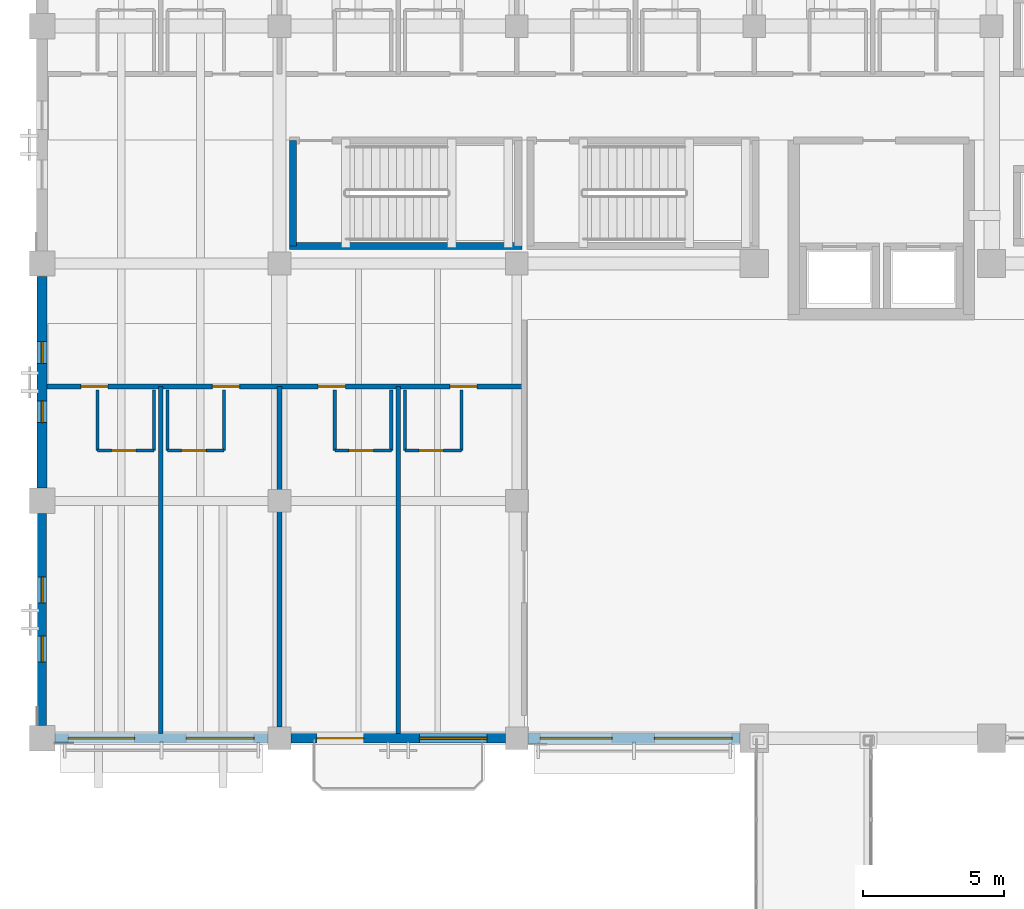
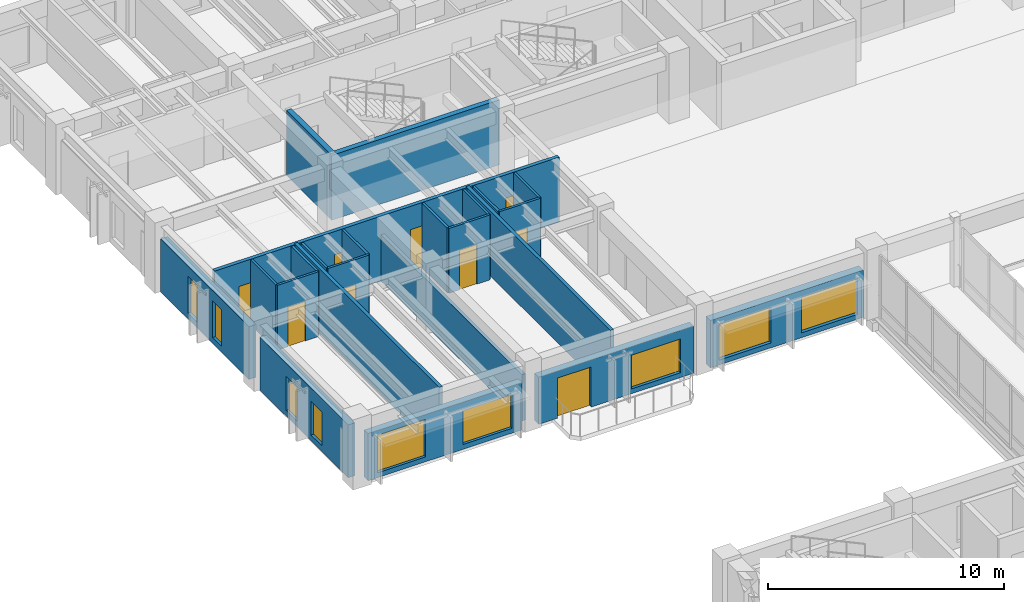
# One storey, part 70 of 118: 23 walls, 9 doors, 9 windows, 18 openings.
"""IFC4 building model written with IfcOpenShell, lengths in metres."""

from ifc_helpers import new_model, si_unit, direction, frame, frame_2d, origin, place, context, subcontext, project, spatial, rectangle, extrude, material, layer, layer_set, type_object, element, fill, save


model = new_model("IFC4")

# Units and contexts
model_context = context("Model", 3, precision=1e-05, world=origin(), true_north=direction((0.0, 1.0)))
body_context = subcontext(model_context, "Body", "Model", "MODEL_VIEW")
ifc_project = project(units=[si_unit("LENGTHUNIT", "METRE"), si_unit("AREAUNIT", "SQUARE_METRE"), si_unit("VOLUMEUNIT", "CUBIC_METRE"), si_unit("PLANEANGLEUNIT", "RADIAN"), si_unit("MASSUNIT", "GRAM", prefix="KILO")], contexts=[model_context])

# Site, building, storey
site_placement = place(None, origin())
site = spatial("IfcSite", under=ifc_project, at=site_placement, CompositionType="ELEMENT")
building_placement = place(site_placement, origin())
building = spatial("IfcBuilding", under=site, at=building_placement, Name="Cumbredor Promenade Congress Hotel", CompositionType="ELEMENT")
storey_placement = place(building_placement, frame((0.0, 0.0, 3.919921875)))
storey = spatial("IfcBuildingStorey", under=building, at=storey_placement, Name="L01", CompositionType="ELEMENT", Elevation=3.919921875)

# Wall, opening, door
ifc_material_1 = material(Name="Moisture-resistant gypsum board on steel studs", Category="steel")
ifc_layer_1 = layer(ifc_material_1, 0.114990234375, Name="Moisture-resistant gypsum board on steel studs", Category="steel")
ifc_layer_set_1 = layer_set([ifc_layer_1], Name="Moisture-resistant gypsum board on steel studs")
wall_type_1 = type_object("IfcWallType", Name="WL-BATH-115", PredefinedType="PARTITIONING", material=ifc_layer_set_1)
wall_1_placement = place(storey_placement, frame((1.9599609375, 94.179931640625, 0.0), z_axis=(0.0, 0.0, 1.0), x_axis=(1.0, 0.0, 0.0)))
wall_1 = element("IfcWall", 1, at=wall_1_placement, inside=storey, type_object=wall_type_1, Name="L01 Interior Partition W-L01-BH-0181", PredefinedType="PARTITIONING", context=body_context, shape_type="SweptSolid", body=[
    extrude(rectangle(XDim=2.0, YDim=0.114990234375, at=frame_2d((1.0, 0.0))), origin(), (0.0, 0.0, 1.0), 3.360107421875),
])
opening_1_placement = place(wall_1_placement, frame((0.5, 0.0, 0.0)))
opening_1 = element("IfcOpeningElement", 2, at=opening_1_placement, cuts=wall_1, Name="Opening ID-01", PredefinedType="OPENING", context=body_context, shape_type="SweptSolid", body=[
    extrude(rectangle(XDim=0.860107421875, YDim=2.050048828125, at=frame_2d((0.43017578125, 1.02490234375))), frame((0.0, 0.0673828125, 0.0), z_axis=(0.0, -1.0, 0.0), x_axis=(1.0, 0.0, 0.0)), (0.0, 0.0, 1.0), 0.135009765625),
])
ifc_material_2 = material(Name="Kiln-dried tropical hardwood", Category="wood")
door_type_1 = type_object("IfcDoorType", Name="DR-BATH-860", OperationType="NOTDEFINED", PredefinedType="DOOR", material=ifc_material_2)
door_1_placement = place(opening_1_placement, origin())
door_1 = element("IfcDoor", 3, at=door_1_placement, inside=storey, type_object=door_type_1, Name="L01 Interior Door W-L01-BH-0181-01", OperationType="SINGLE_SWING_LEFT", OverallHeight=2.050048828125, OverallWidth=0.860107421875, PredefinedType="DOOR", context=body_context, shape_type="SweptSolid", body=[
    extrude(rectangle(XDim=0.860107421875, YDim=2.050048828125, at=frame_2d((0.43017578125, 1.02490234375))), frame((0.0, 0.02490234375, 0.0), z_axis=(0.0, -1.0, 0.0), x_axis=(1.0, 0.0, 0.0)), (0.0, 0.0, 1.0), 0.050048828125),
])
fill(opening_1, door_1)

# Walls
for number, where, z_axis, x_axis, name in (
    (4, (1.9599609375, 94.179931640625, 0.0), (0.0, 0.0, 1.0), (0.0, 1.0, 0.0), "L01 Interior Partition W-L01-BV1-0181"),
    (5, (3.9599609375, 94.179931640625, 0.0), (0.0, 0.0, 1.0), (0.0, 1.0, 0.0), "L01 Interior Partition W-L01-BV2-0181"),
):
    element("IfcWall", number, at=place(storey_placement, frame(where, z_axis=z_axis, x_axis=x_axis)), inside=storey, type_object=wall_type_1, Name=name, PredefinedType="PARTITIONING", context=body_context, shape_type="SweptSolid", body=[
        extrude(rectangle(XDim=2.150146484375, YDim=0.114990234375, at=frame_2d((1.0751953125, 0.0))), origin(), (0.0, 0.0, 1.0), 3.360107421875),
    ])

# Wall, opening, door
wall_2_placement = place(storey_placement, frame((4.43994140625, 94.179931640625, 0.0), z_axis=(0.0, 0.0, 1.0), x_axis=(1.0, 0.0, 0.0)))
wall_2 = element("IfcWall", 6, at=wall_2_placement, inside=storey, type_object=wall_type_1, Name="L01 Interior Partition W-L01-BH-0182", PredefinedType="PARTITIONING", context=body_context, shape_type="SweptSolid", body=[
    extrude(rectangle(XDim=2.0, YDim=0.114990234375, at=frame_2d((1.0, 0.0))), origin(), (0.0, 0.0, 1.0), 3.360107421875),
])
opening_2_placement = place(wall_2_placement, frame((0.5, 0.0, 0.0)))
opening_2 = element("IfcOpeningElement", 7, at=opening_2_placement, cuts=wall_2, Name="Opening ID-01", PredefinedType="OPENING", context=body_context, shape_type="SweptSolid", body=[
    extrude(rectangle(XDim=0.860107421875, YDim=2.050048828125, at=frame_2d((0.43017578125, 1.02490234375))), frame((0.0, 0.0673828125, 0.0), z_axis=(0.0, -1.0, 0.0), x_axis=(1.0, 0.0, 0.0)), (0.0, 0.0, 1.0), 0.135009765625),
])
door_2_placement = place(opening_2_placement, origin())
door_2 = element("IfcDoor", 8, at=door_2_placement, inside=storey, type_object=door_type_1, Name="L01 Interior Door W-L01-BH-0182-01", OperationType="SINGLE_SWING_RIGHT", OverallHeight=2.050048828125, OverallWidth=0.860107421875, PredefinedType="DOOR", context=body_context, shape_type="SweptSolid", body=[
    extrude(rectangle(XDim=0.860107421875, YDim=2.050048828125, at=frame_2d((0.43017578125, 1.02490234375))), frame((0.0, 0.02490234375, 0.0), z_axis=(0.0, -1.0, 0.0), x_axis=(1.0, 0.0, 0.0)), (0.0, 0.0, 1.0), 0.050048828125),
])
fill(opening_2, door_2)

# Walls
for number, where, z_axis, x_axis, name in (
    (9, (4.43994140625, 94.179931640625, 0.0), (0.0, 0.0, 1.0), (0.0, 1.0, 0.0), "L01 Interior Partition W-L01-BV1-0182"),
    (10, (6.43994140625, 94.179931640625, 0.0), (0.0, 0.0, 1.0), (0.0, 1.0, 0.0), "L01 Interior Partition W-L01-BV2-0182"),
):
    element("IfcWall", number, at=place(storey_placement, frame(where, z_axis=z_axis, x_axis=x_axis)), inside=storey, type_object=wall_type_1, Name=name, PredefinedType="PARTITIONING", context=body_context, shape_type="SweptSolid", body=[
        extrude(rectangle(XDim=2.150146484375, YDim=0.114990234375, at=frame_2d((1.0751953125, 0.0))), origin(), (0.0, 0.0, 1.0), 3.360107421875),
    ])

# Wall, opening, door
wall_3_placement = place(storey_placement, frame((10.360107421875, 94.179931640625, 0.0), z_axis=(0.0, 0.0, 1.0), x_axis=(1.0, 0.0, 0.0)))
wall_3 = element("IfcWall", 11, at=wall_3_placement, inside=storey, type_object=wall_type_1, Name="L01 Interior Partition W-L01-BH-0183", PredefinedType="PARTITIONING", context=body_context, shape_type="SweptSolid", body=[
    extrude(rectangle(XDim=2.0, YDim=0.114990234375, at=frame_2d((1.0, 0.0))), origin(), (0.0, 0.0, 1.0), 3.360107421875),
])
opening_3_placement = place(wall_3_placement, frame((0.5, 0.0, 0.0)))
opening_3 = element("IfcOpeningElement", 12, at=opening_3_placement, cuts=wall_3, Name="Opening ID-01", PredefinedType="OPENING", context=body_context, shape_type="SweptSolid", body=[
    extrude(rectangle(XDim=0.860107421875, YDim=2.050048828125, at=frame_2d((0.43017578125, 1.02490234375))), frame((0.0, 0.0673828125, 0.0), z_axis=(0.0, -1.0, 0.0), x_axis=(1.0, 0.0, 0.0)), (0.0, 0.0, 1.0), 0.135009765625),
])
door_3_placement = place(opening_3_placement, origin())
door_3 = element("IfcDoor", 13, at=door_3_placement, inside=storey, type_object=door_type_1, Name="L01 Interior Door W-L01-BH-0183-01", OperationType="SINGLE_SWING_LEFT", OverallHeight=2.050048828125, OverallWidth=0.860107421875, PredefinedType="DOOR", context=body_context, shape_type="SweptSolid", body=[
    extrude(rectangle(XDim=0.860107421875, YDim=2.050048828125, at=frame_2d((0.43017578125, 1.02490234375))), frame((0.0, 0.02490234375, 0.0), z_axis=(0.0, -1.0, 0.0), x_axis=(1.0, 0.0, 0.0)), (0.0, 0.0, 1.0), 0.050048828125),
])
fill(opening_3, door_3)

# Walls
for number, where, z_axis, x_axis, name in (
    (14, (10.360107421875, 94.179931640625, 0.0), (0.0, 0.0, 1.0), (0.0, 1.0, 0.0), "L01 Interior Partition W-L01-BV1-0183"),
    (15, (12.360107421875, 94.179931640625, 0.0), (0.0, 0.0, 1.0), (0.0, 1.0, 0.0), "L01 Interior Partition W-L01-BV2-0183"),
):
    element("IfcWall", number, at=place(storey_placement, frame(where, z_axis=z_axis, x_axis=x_axis)), inside=storey, type_object=wall_type_1, Name=name, PredefinedType="PARTITIONING", context=body_context, shape_type="SweptSolid", body=[
        extrude(rectangle(XDim=2.150146484375, YDim=0.114990234375, at=frame_2d((1.0751953125, 0.0))), origin(), (0.0, 0.0, 1.0), 3.360107421875),
    ])

# Wall, opening, door
wall_4_placement = place(storey_placement, frame((12.840087890625, 94.179931640625, 0.0), z_axis=(0.0, 0.0, 1.0), x_axis=(1.0, 0.0, 0.0)))
wall_4 = element("IfcWall", 16, at=wall_4_placement, inside=storey, type_object=wall_type_1, Name="L01 Interior Partition W-L01-BH-0184", PredefinedType="PARTITIONING", context=body_context, shape_type="SweptSolid", body=[
    extrude(rectangle(XDim=2.0, YDim=0.114990234375, at=frame_2d((1.0, 0.0))), origin(), (0.0, 0.0, 1.0), 3.360107421875),
])
opening_4_placement = place(wall_4_placement, frame((0.5, 0.0, 0.0)))
opening_4 = element("IfcOpeningElement", 17, at=opening_4_placement, cuts=wall_4, Name="Opening ID-01", PredefinedType="OPENING", context=body_context, shape_type="SweptSolid", body=[
    extrude(rectangle(XDim=0.860107421875, YDim=2.050048828125, at=frame_2d((0.43017578125, 1.02490234375))), frame((0.0, 0.0673828125, 0.0), z_axis=(0.0, -1.0, 0.0), x_axis=(1.0, 0.0, 0.0)), (0.0, 0.0, 1.0), 0.135009765625),
])
door_4_placement = place(opening_4_placement, origin())
door_4 = element("IfcDoor", 18, at=door_4_placement, inside=storey, type_object=door_type_1, Name="L01 Interior Door W-L01-BH-0184-01", OperationType="SINGLE_SWING_RIGHT", OverallHeight=2.050048828125, OverallWidth=0.860107421875, PredefinedType="DOOR", context=body_context, shape_type="SweptSolid", body=[
    extrude(rectangle(XDim=0.860107421875, YDim=2.050048828125, at=frame_2d((0.43017578125, 1.02490234375))), frame((0.0, 0.02490234375, 0.0), z_axis=(0.0, -1.0, 0.0), x_axis=(1.0, 0.0, 0.0)), (0.0, 0.0, 1.0), 0.050048828125),
])
fill(opening_4, door_4)

# Walls
for number, where, z_axis, x_axis, name in (
    (19, (12.840087890625, 94.179931640625, 0.0), (0.0, 0.0, 1.0), (0.0, 1.0, 0.0), "L01 Interior Partition W-L01-BV1-0184"),
    (20, (14.840087890625, 94.179931640625, 0.0), (0.0, 0.0, 1.0), (0.0, 1.0, 0.0), "L01 Interior Partition W-L01-BV2-0184"),
):
    element("IfcWall", number, at=place(storey_placement, frame(where, z_axis=z_axis, x_axis=x_axis)), inside=storey, type_object=wall_type_1, Name=name, PredefinedType="PARTITIONING", context=body_context, shape_type="SweptSolid", body=[
        extrude(rectangle(XDim=2.150146484375, YDim=0.114990234375, at=frame_2d((1.0751953125, 0.0))), origin(), (0.0, 0.0, 1.0), 3.360107421875),
    ])

# Wall, openings, doors
ifc_material_3 = material(Name="Fire-rated hotel corridor wall")
ifc_layer_2 = layer(ifc_material_3, 0.179931640625, Name="Fire-rated hotel corridor wall")
ifc_layer_set_2 = layer_set([ifc_layer_2], Name="Fire-rated hotel corridor wall")
wall_type_2 = type_object("IfcWallType", Name="WL-CORR-180", PredefinedType="PARTITIONING", material=ifc_layer_set_2)
wall_5_placement = place(storey_placement, frame((0.175048828125, 96.449951171875, 0.0), z_axis=(0.0, 0.0, 1.0), x_axis=(1.0, 0.0, 0.0)))
wall_5 = element("IfcWall", 21, at=wall_5_placement, inside=storey, type_object=wall_type_2, Name="L01 Interior Partition W-L01-WS-CORRW", PredefinedType="PARTITIONING", context=body_context, shape_type="SweptSolid", body=[
    extrude(rectangle(XDim=16.875, YDim=0.179931640625, at=frame_2d((8.4375, 0.0))), origin(), (0.0, 0.0, 1.0), 3.360107421875),
])
opening_5_placement = place(wall_5_placement, frame((1.195068359375, 0.0, 0.0)))
opening_5 = element("IfcOpeningElement", 22, at=opening_5_placement, cuts=wall_5, Name="Opening FD-01", PredefinedType="OPENING", context=body_context, shape_type="SweptSolid", body=[
    extrude(rectangle(XDim=0.9599609375, YDim=2.14990234375, at=frame_2d((0.47998046875, 1.074951171875))), frame((0.0, 0.10009765625, 0.0), z_axis=(0.0, -1.0, 0.0), x_axis=(1.0, 0.0, 0.0)), (0.0, 0.0, 1.0), 0.199951171875),
])
opening_6_placement = place(wall_5_placement, frame((5.85498046875, 0.0, 0.0)))
opening_6 = element("IfcOpeningElement", 23, at=opening_6_placement, cuts=wall_5, Name="Opening FD-01", PredefinedType="OPENING", context=body_context, shape_type="SweptSolid", body=[
    extrude(rectangle(XDim=0.9599609375, YDim=2.14990234375, at=frame_2d((0.47998046875, 1.074951171875))), frame((0.0, 0.10009765625, 0.0), z_axis=(0.0, -1.0, 0.0), x_axis=(1.0, 0.0, 0.0)), (0.0, 0.0, 1.0), 0.199951171875),
])
opening_7_placement = place(wall_5_placement, frame((9.594970703125, 0.0, 0.0)))
opening_7 = element("IfcOpeningElement", 24, at=opening_7_placement, cuts=wall_5, Name="Opening FD-01", PredefinedType="OPENING", context=body_context, shape_type="SweptSolid", body=[
    extrude(rectangle(XDim=0.9599609375, YDim=2.14990234375, at=frame_2d((0.47998046875, 1.074951171875))), frame((0.0, 0.10009765625, 0.0), z_axis=(0.0, -1.0, 0.0), x_axis=(1.0, 0.0, 0.0)), (0.0, 0.0, 1.0), 0.199951171875),
])
opening_8_placement = place(wall_5_placement, frame((14.2548828125, 0.0, 0.0)))
opening_8 = element("IfcOpeningElement", 25, at=opening_8_placement, cuts=wall_5, Name="Opening FD-01", PredefinedType="OPENING", context=body_context, shape_type="SweptSolid", body=[
    extrude(rectangle(XDim=0.9599609375, YDim=2.14990234375, at=frame_2d((0.47998046875, 1.074951171875))), frame((0.0, 0.10009765625, 0.0), z_axis=(0.0, -1.0, 0.0), x_axis=(1.0, 0.0, 0.0)), (0.0, 0.0, 1.0), 0.199951171875),
])
ifc_material_4 = material(Name="Solid-core fire-rated tropical hardwood", Category="wood")
door_type_2 = type_object("IfcDoorType", Name="DR-GUEST-FD30-950", OperationType="NOTDEFINED", PredefinedType="DOOR", material=ifc_material_4)
door_5_placement = place(opening_5_placement, origin())
door_5 = element("IfcDoor", 26, at=door_5_placement, inside=storey, type_object=door_type_2, Name="L01 Interior Door W-L01-WS-CORRW-01", OperationType="SINGLE_SWING_RIGHT", OverallHeight=2.14990234375, OverallWidth=0.9599609375, PredefinedType="DOOR", context=body_context, shape_type="SweptSolid", body=[
    extrude(rectangle(XDim=0.9599609375, YDim=2.14990234375, at=frame_2d((0.47998046875, 1.074951171875))), frame((0.0, 0.02490234375, 0.0), z_axis=(0.0, -1.0, 0.0), x_axis=(1.0, 0.0, 0.0)), (0.0, 0.0, 1.0), 0.050048828125),
])
fill(opening_5, door_5)
door_6_placement = place(opening_6_placement, origin())
door_6 = element("IfcDoor", 27, at=door_6_placement, inside=storey, type_object=door_type_2, Name="L01 Interior Door W-L01-WS-CORRW-02", OperationType="SINGLE_SWING_LEFT", OverallHeight=2.14990234375, OverallWidth=0.9599609375, PredefinedType="DOOR", context=body_context, shape_type="SweptSolid", body=[
    extrude(rectangle(XDim=0.9599609375, YDim=2.14990234375, at=frame_2d((0.47998046875, 1.074951171875))), frame((0.0, 0.02490234375, 0.0), z_axis=(0.0, -1.0, 0.0), x_axis=(1.0, 0.0, 0.0)), (0.0, 0.0, 1.0), 0.050048828125),
])
fill(opening_6, door_6)
door_7_placement = place(opening_7_placement, origin())
door_7 = element("IfcDoor", 28, at=door_7_placement, inside=storey, type_object=door_type_2, Name="L01 Interior Door W-L01-WS-CORRW-03", OperationType="SINGLE_SWING_RIGHT", OverallHeight=2.14990234375, OverallWidth=0.9599609375, PredefinedType="DOOR", context=body_context, shape_type="SweptSolid", body=[
    extrude(rectangle(XDim=0.9599609375, YDim=2.14990234375, at=frame_2d((0.47998046875, 1.074951171875))), frame((0.0, 0.02490234375, 0.0), z_axis=(0.0, -1.0, 0.0), x_axis=(1.0, 0.0, 0.0)), (0.0, 0.0, 1.0), 0.050048828125),
])
fill(opening_7, door_7)
door_8_placement = place(opening_8_placement, origin())
door_8 = element("IfcDoor", 29, at=door_8_placement, inside=storey, type_object=door_type_2, Name="L01 Interior Door W-L01-WS-CORRW-04", OperationType="SINGLE_SWING_LEFT", OverallHeight=2.14990234375, OverallWidth=0.9599609375, PredefinedType="DOOR", context=body_context, shape_type="SweptSolid", body=[
    extrude(rectangle(XDim=0.9599609375, YDim=2.14990234375, at=frame_2d((0.47998046875, 1.074951171875))), frame((0.0, 0.02490234375, 0.0), z_axis=(0.0, -1.0, 0.0), x_axis=(1.0, 0.0, 0.0)), (0.0, 0.0, 1.0), 0.050048828125),
])
fill(opening_8, door_8)

# Wall, openings, windows
ifc_material_5 = material(Name="Concrete C40/50", Category="concrete")
ifc_layer_3 = layer(ifc_material_5, 0.324951171875, Name="Concrete C40/50", Category="concrete")
ifc_layer_set_3 = layer_set([ifc_layer_3], Name="Concrete C40/50")
wall_type_3 = type_object("IfcWallType", Name="WL-EXT-325", PredefinedType="SOLIDWALL", material=ifc_layer_set_3)
wall_6_placement = place(storey_placement, frame((0.450927734375, 84.0, 0.0), z_axis=(0.0, 0.0, 1.0), x_axis=(1.0, 0.0, 0.0)))
wall_6 = element("IfcWall", 30, at=wall_6_placement, inside=storey, type_object=wall_type_3, Name="L01 Stepped Congress Hotel Wing South Envelope Wall 1", PredefinedType="SOLIDWALL", context=body_context, shape_type="SweptSolid", body=[
    extrude(rectangle(XDim=7.548095703125, YDim=0.324951171875, at=frame_2d((3.77392578125, 0.0))), origin(), (0.0, 0.0, 1.0), 2.445068359375),
])
opening_9_placement = place(wall_6_placement, frame((0.47412109375, 0.0, 0.25)))
opening_9 = element("IfcOpeningElement", 31, at=opening_9_placement, cuts=wall_6, Name="Opening WN-08", PredefinedType="OPENING", context=body_context, shape_type="SweptSolid", body=[
    extrude(rectangle(XDim=2.35009765625, YDim=1.949951171875, at=frame_2d((1.175048828125, 0.97509765625))), frame((0.0, 0.17236328125, 0.0), z_axis=(0.0, -1.0, 0.0), x_axis=(1.0, 0.0, 0.0)), (0.0, 0.0, 1.0), 0.344970703125),
])
opening_10_placement = place(wall_6_placement, frame((4.64892578125, 0.0, 0.25)))
opening_10 = element("IfcOpeningElement", 32, at=opening_10_placement, cuts=wall_6, Name="Opening WN-26", PredefinedType="OPENING", context=body_context, shape_type="SweptSolid", body=[
    extrude(rectangle(XDim=2.39990234375, YDim=1.75, at=frame_2d((1.199951171875, 0.875))), frame((0.0, 0.17236328125, 0.0), z_axis=(0.0, -1.0, 0.0), x_axis=(1.0, 0.0, 0.0)), (0.0, 0.0, 1.0), 0.344970703125),
])
ifc_material_6 = material(Name="Thermally broken anodized aluminium and low-E glass", Category="aluminium")
window_type_1 = type_object("IfcWindowType", Name="Hospitality Floor-to-Ceiling Window WN-08 2350x1950", PartitioningType="DOUBLE_PANEL_VERTICAL", PredefinedType="WINDOW", material=ifc_material_6)
window_1_placement = place(opening_9_placement, origin())
window_1 = element("IfcWindow", 33, at=window_1_placement, inside=storey, type_object=window_type_1, Name="L01 Wide Hospitality Window 0189", OverallHeight=1.949951171875, OverallWidth=2.35009765625, PartitioningType="DOUBLE_PANEL_VERTICAL", PredefinedType="WINDOW", context=body_context, shape_type="SweptSolid", body=[
    extrude(rectangle(XDim=2.35009765625, YDim=1.949951171875, at=frame_2d((1.175048828125, 0.97509765625))), frame((0.0, 0.030029296875, 0.0), z_axis=(0.0, -1.0, 0.0), x_axis=(1.0, 0.0, 0.0)), (0.0, 0.0, 1.0), 0.06005859375),
])
fill(opening_9, window_1)
window_type_2 = type_object("IfcWindowType", Name="Hospitality Floor-to-Ceiling Window WN-26 2400x1750", PartitioningType="DOUBLE_PANEL_VERTICAL", PredefinedType="WINDOW", material=ifc_material_6)
window_2_placement = place(opening_10_placement, origin())
window_2 = element("IfcWindow", 34, at=window_2_placement, inside=storey, type_object=window_type_2, Name="L01 Wide Hospitality Window 0190", OverallHeight=1.75, OverallWidth=2.39990234375, PartitioningType="DOUBLE_PANEL_VERTICAL", PredefinedType="WINDOW", context=body_context, shape_type="SweptSolid", body=[
    extrude(rectangle(XDim=2.39990234375, YDim=1.75, at=frame_2d((1.199951171875, 0.875))), frame((0.0, 0.030029296875, 0.0), z_axis=(0.0, -1.0, 0.0), x_axis=(1.0, 0.0, 0.0)), (0.0, 0.0, 1.0), 0.06005859375),
])
fill(opening_10, window_2)

wall_7_placement = place(storey_placement, frame((0.0, 84.450927734375, 0.0), z_axis=(0.0, 0.0, 1.0), x_axis=(0.0, 1.0, 0.0)))
wall_7 = element("IfcWall", 35, at=wall_7_placement, inside=storey, type_object=wall_type_3, Name="L01 Stepped Congress Hotel Wing West Envelope Wall 1", PredefinedType="SOLIDWALL", context=body_context, shape_type="SweptSolid", body=[
    extrude(rectangle(XDim=7.498046875, YDim=0.324951171875, at=frame_2d((3.7490234375, 0.0))), origin(), (0.0, 0.0, 1.0), 2.734130859375),
])
opening_11_placement = place(wall_7_placement, frame((2.239013671875, 0.0, 0.300048828125)))
opening_11 = element("IfcOpeningElement", 36, at=opening_11_placement, cuts=wall_7, Name="Opening WN-63", PredefinedType="OPENING", context=body_context, shape_type="SweptSolid", body=[
    extrude(rectangle(XDim=0.919921875, YDim=1.75, at=frame_2d((0.4599609375, 0.875))), frame((0.0, 0.17236328125, 0.0), z_axis=(0.0, -1.0, 0.0), x_axis=(1.0, 0.0, 0.0)), (0.0, 0.0, 1.0), 0.344970703125),
])
opening_12_placement = place(wall_7_placement, frame((4.339111328125, 0.0, 0.300048828125)))
opening_12 = element("IfcOpeningElement", 37, at=opening_12_placement, cuts=wall_7, Name="Opening WN-63", PredefinedType="OPENING", context=body_context, shape_type="SweptSolid", body=[
    extrude(rectangle(XDim=0.919921875, YDim=1.75, at=frame_2d((0.4599609375, 0.875))), frame((0.0, 0.17236328125, 0.0), z_axis=(0.0, -1.0, 0.0), x_axis=(1.0, 0.0, 0.0)), (0.0, 0.0, 1.0), 0.344970703125),
])
window_type_3 = type_object("IfcWindowType", Name="Vertical Slot Window WN-63 920x1750", PartitioningType="SINGLE_PANEL", PredefinedType="WINDOW", material=ifc_material_6)
window_3_placement = place(opening_11_placement, origin())
window_3 = element("IfcWindow", 38, at=window_3_placement, inside=storey, type_object=window_type_3, Name="L01 Vertical Slot Window 0218", OverallHeight=1.75, OverallWidth=0.919921875, PartitioningType="SINGLE_PANEL", PredefinedType="WINDOW", context=body_context, shape_type="SweptSolid", body=[
    extrude(rectangle(XDim=0.919921875, YDim=1.75, at=frame_2d((0.4599609375, 0.875))), frame((0.0, 0.030029296875, 0.0), z_axis=(0.0, -1.0, 0.0), x_axis=(1.0, 0.0, 0.0)), (0.0, 0.0, 1.0), 0.06005859375),
])
fill(opening_11, window_3)
window_4_placement = place(opening_12_placement, origin())
window_4 = element("IfcWindow", 39, at=window_4_placement, inside=storey, type_object=window_type_3, Name="L01 Vertical Slot Window 0219", OverallHeight=1.75, OverallWidth=0.919921875, PartitioningType="SINGLE_PANEL", PredefinedType="WINDOW", context=body_context, shape_type="SweptSolid", body=[
    extrude(rectangle(XDim=0.919921875, YDim=1.75, at=frame_2d((0.4599609375, 0.875))), frame((0.0, 0.030029296875, 0.0), z_axis=(0.0, -1.0, 0.0), x_axis=(1.0, 0.0, 0.0)), (0.0, 0.0, 1.0), 0.06005859375),
])
fill(opening_12, window_4)

# Wall, openings, door, window
ifc_layer_4 = layer(ifc_material_5, 0.35009765625, Name="Concrete C40/50", Category="concrete")
ifc_layer_set_4 = layer_set([ifc_layer_4], Name="Concrete C40/50")
wall_type_4 = type_object("IfcWallType", Name="WL-EXT-350", PredefinedType="SOLIDWALL", material=ifc_layer_set_4)
wall_8_placement = place(storey_placement, frame((8.801025390625, 84.0, 0.0), z_axis=(0.0, 0.0, 1.0), x_axis=(1.0, 0.0, 0.0)))
wall_8 = element("IfcWall", 40, at=wall_8_placement, inside=storey, type_object=wall_type_4, Name="L01 Stepped Congress Hotel Wing South Envelope Wall 2", PredefinedType="SOLIDWALL", context=body_context, shape_type="SweptSolid", body=[
    extrude(rectangle(XDim=7.597900390625, YDim=0.35009765625, at=frame_2d((3.798828125, 0.0))), origin(), (0.0, 0.0, 1.0), 2.445068359375),
])
opening_13_placement = place(wall_8_placement, frame((0.924072265625, 0.0, 0.0)))
opening_13 = element("IfcOpeningElement", 41, at=opening_13_placement, cuts=wall_8, Name="Opening TD-02", PredefinedType="OPENING", context=body_context, shape_type="SweptSolid", body=[
    extrude(rectangle(XDim=1.64990234375, YDim=2.080078125, at=frame_2d((0.824951171875, 1.0400390625))), frame((0.0, 0.18505859375, 0.0), z_axis=(0.0, -1.0, 0.0), x_axis=(1.0, 0.0, 0.0)), (0.0, 0.0, 1.0), 0.3701171875),
])
opening_14_placement = place(wall_8_placement, frame((4.549072265625, 0.0, 0.25)))
opening_14 = element("IfcOpeningElement", 42, at=opening_14_placement, cuts=wall_8, Name="Opening WN-26", PredefinedType="OPENING", context=body_context, shape_type="SweptSolid", body=[
    extrude(rectangle(XDim=2.39990234375, YDim=1.75, at=frame_2d((1.199951171875, 0.875))), frame((0.0, 0.18505859375, 0.0), z_axis=(0.0, -1.0, 0.0), x_axis=(1.0, 0.0, 0.0)), (0.0, 0.0, 1.0), 0.3701171875),
])
ifc_material_7 = material(Name="Thermally broken anodized aluminium and laminated safety glass", Category="aluminium")
door_type_3 = type_object("IfcDoorType", Name="EXT-DR-TER-1650x2080", OperationType="DOUBLE_DOOR_SINGLE_SWING", PredefinedType="DOOR", material=ifc_material_7)
door_9_placement = place(opening_13_placement, frame((1.64990234375, 0.0, 0.0), z_axis=(0.0, 0.0, 1.0), x_axis=(-1.0, 0.0, 0.0)))
door_9 = element("IfcDoor", 43, at=door_9_placement, inside=storey, type_object=door_type_3, Name="L01 Guestroom Veranda Balcony Door 031", OperationType="DOUBLE_DOOR_SINGLE_SWING", OverallHeight=2.080078125, OverallWidth=1.64990234375, PredefinedType="DOOR", context=body_context, shape_type="SweptSolid", body=[
    extrude(rectangle(XDim=1.64990234375, YDim=2.080078125, at=frame_2d((0.824951171875, 1.0400390625))), frame((0.0, 0.02490234375, 0.0), z_axis=(0.0, -1.0, 0.0), x_axis=(1.0, 0.0, 0.0)), (0.0, 0.0, 1.0), 0.050048828125),
])
fill(opening_13, door_9)
window_5_placement = place(opening_14_placement, origin())
window_5 = element("IfcWindow", 44, at=window_5_placement, inside=storey, type_object=window_type_2, Name="L01 Veranda Companion Floor-to-Ceiling Window 0191", OverallHeight=1.75, OverallWidth=2.39990234375, PartitioningType="DOUBLE_PANEL_VERTICAL", PredefinedType="WINDOW", context=body_context, shape_type="SweptSolid", body=[
    extrude(rectangle(XDim=2.39990234375, YDim=1.75, at=frame_2d((1.199951171875, 0.875))), frame((0.0, 0.030029296875, 0.0), z_axis=(0.0, -1.0, 0.0), x_axis=(1.0, 0.0, 0.0)), (0.0, 0.0, 1.0), 0.06005859375),
])
fill(opening_14, window_5)

# Wall, openings, windows
wall_9_placement = place(storey_placement, frame((0.0, 92.85107421875, 0.0), z_axis=(0.0, 0.0, 1.0), x_axis=(0.0, 1.0, 0.0)))
wall_9 = element("IfcWall", 45, at=wall_9_placement, inside=storey, type_object=wall_type_4, Name="L01 Stepped Congress Hotel Wing West Envelope Wall 2", PredefinedType="SOLIDWALL", context=body_context, shape_type="SweptSolid", body=[
    extrude(rectangle(XDim=7.498046875, YDim=0.35009765625, at=frame_2d((3.7490234375, 0.0))), origin(), (0.0, 0.0, 1.0), 2.734130859375),
])
opening_15_placement = place(wall_9_placement, frame((2.31396484375, 0.0, 0.300048828125)))
opening_15 = element("IfcOpeningElement", 46, at=opening_15_placement, cuts=wall_9, Name="Opening WN-66", PredefinedType="OPENING", context=body_context, shape_type="SweptSolid", body=[
    extrude(rectangle(XDim=0.77001953125, YDim=1.89990234375, at=frame_2d((0.385009765625, 0.949951171875))), frame((0.0, 0.18505859375, 0.0), z_axis=(0.0, -1.0, 0.0), x_axis=(1.0, 0.0, 0.0)), (0.0, 0.0, 1.0), 0.3701171875),
])
opening_16_placement = place(wall_9_placement, frame((4.4140625, 0.0, 0.300048828125)))
opening_16 = element("IfcOpeningElement", 47, at=opening_16_placement, cuts=wall_9, Name="Opening WN-66", PredefinedType="OPENING", context=body_context, shape_type="SweptSolid", body=[
    extrude(rectangle(XDim=0.77001953125, YDim=1.89990234375, at=frame_2d((0.385009765625, 0.949951171875))), frame((0.0, 0.18505859375, 0.0), z_axis=(0.0, -1.0, 0.0), x_axis=(1.0, 0.0, 0.0)), (0.0, 0.0, 1.0), 0.3701171875),
])
window_type_4 = type_object("IfcWindowType", Name="Vertical Slot Window WN-66 770x1900", PartitioningType="SINGLE_PANEL", PredefinedType="WINDOW", material=ifc_material_6)
window_6_placement = place(opening_15_placement, origin())
window_6 = element("IfcWindow", 48, at=window_6_placement, inside=storey, type_object=window_type_4, Name="L01 Vertical Slot Window 0220", OverallHeight=1.89990234375, OverallWidth=0.77001953125, PartitioningType="SINGLE_PANEL", PredefinedType="WINDOW", context=body_context, shape_type="SweptSolid", body=[
    extrude(rectangle(XDim=0.77001953125, YDim=1.89990234375, at=frame_2d((0.385009765625, 0.949951171875))), frame((0.0, 0.030029296875, 0.0), z_axis=(0.0, -1.0, 0.0), x_axis=(1.0, 0.0, 0.0)), (0.0, 0.0, 1.0), 0.06005859375),
])
fill(opening_15, window_6)
window_7_placement = place(opening_16_placement, origin())
window_7 = element("IfcWindow", 49, at=window_7_placement, inside=storey, type_object=window_type_4, Name="L01 Vertical Slot Window 0221", OverallHeight=1.89990234375, OverallWidth=0.77001953125, PartitioningType="SINGLE_PANEL", PredefinedType="WINDOW", context=body_context, shape_type="SweptSolid", body=[
    extrude(rectangle(XDim=0.77001953125, YDim=1.89990234375, at=frame_2d((0.385009765625, 0.949951171875))), frame((0.0, 0.030029296875, 0.0), z_axis=(0.0, -1.0, 0.0), x_axis=(1.0, 0.0, 0.0)), (0.0, 0.0, 1.0), 0.06005859375),
])
fill(opening_16, window_7)

ifc_layer_5 = layer(ifc_material_5, 0.3798828125, Name="Concrete C40/50", Category="concrete")
ifc_layer_set_5 = layer_set([ifc_layer_5], Name="Concrete C40/50")
wall_type_5 = type_object("IfcWallType", Name="WL-EXT-380", PredefinedType="SOLIDWALL", material=ifc_layer_set_5)
wall_10_placement = place(storey_placement, frame((17.200927734375, 84.0, 0.0), z_axis=(0.0, 0.0, 1.0), x_axis=(1.0, 0.0, 0.0)))
wall_10 = element("IfcWall", 50, at=wall_10_placement, inside=storey, type_object=wall_type_5, Name="L01 Stepped Congress Hotel Wing South Envelope Wall 3", PredefinedType="SOLIDWALL", context=body_context, shape_type="SweptSolid", body=[
    extrude(rectangle(XDim=7.498046875, YDim=0.3798828125, at=frame_2d((3.7490234375, 0.0))), origin(), (0.0, 0.0, 1.0), 2.445068359375),
])
opening_17_placement = place(wall_10_placement, frame((0.424072265625, 0.0, 0.25)))
opening_17 = element("IfcOpeningElement", 51, at=opening_17_placement, cuts=wall_10, Name="Opening WN-04", PredefinedType="OPENING", context=body_context, shape_type="SweptSolid", body=[
    extrude(rectangle(XDim=2.550048828125, YDim=1.85009765625, at=frame_2d((1.27490234375, 0.925048828125))), frame((0.0, 0.199951171875, 0.0), z_axis=(0.0, -1.0, 0.0), x_axis=(1.0, 0.0, 0.0)), (0.0, 0.0, 1.0), 0.39990234375),
])
opening_18_placement = place(wall_10_placement, frame((4.468017578125, 0.0, 0.25)))
opening_18 = element("IfcOpeningElement", 52, at=opening_18_placement, cuts=wall_10, Name="Opening WN-06", PredefinedType="OPENING", context=body_context, shape_type="SweptSolid", body=[
    extrude(rectangle(XDim=2.75, YDim=1.85009765625, at=frame_2d((1.375, 0.925048828125))), frame((0.0, 0.199951171875, 0.0), z_axis=(0.0, -1.0, 0.0), x_axis=(1.0, 0.0, 0.0)), (0.0, 0.0, 1.0), 0.39990234375),
])
window_type_5 = type_object("IfcWindowType", Name="Hospitality Floor-to-Ceiling Window WN-04 2550x1850", PartitioningType="DOUBLE_PANEL_VERTICAL", PredefinedType="WINDOW", material=ifc_material_6)
window_8_placement = place(opening_17_placement, origin())
window_8 = element("IfcWindow", 53, at=window_8_placement, inside=storey, type_object=window_type_5, Name="L01 Wide Hospitality Window 0192", OverallHeight=1.85009765625, OverallWidth=2.550048828125, PartitioningType="DOUBLE_PANEL_VERTICAL", PredefinedType="WINDOW", context=body_context, shape_type="SweptSolid", body=[
    extrude(rectangle(XDim=2.550048828125, YDim=1.85009765625, at=frame_2d((1.27490234375, 0.925048828125))), frame((0.0, 0.030029296875, 0.0), z_axis=(0.0, -1.0, 0.0), x_axis=(1.0, 0.0, 0.0)), (0.0, 0.0, 1.0), 0.06005859375),
])
fill(opening_17, window_8)
window_type_6 = type_object("IfcWindowType", Name="Hospitality Floor-to-Ceiling Window WN-06 2750x1850", PartitioningType="DOUBLE_PANEL_VERTICAL", PredefinedType="WINDOW", material=ifc_material_6)
window_9_placement = place(opening_18_placement, origin())
window_9 = element("IfcWindow", 54, at=window_9_placement, inside=storey, type_object=window_type_6, Name="L01 Wide Hospitality Window 0193", OverallHeight=1.85009765625, OverallWidth=2.75, PartitioningType="DOUBLE_PANEL_VERTICAL", PredefinedType="WINDOW", context=body_context, shape_type="SweptSolid", body=[
    extrude(rectangle(XDim=2.75, YDim=1.85009765625, at=frame_2d((1.375, 0.925048828125))), frame((0.0, 0.030029296875, 0.0), z_axis=(0.0, -1.0, 0.0), x_axis=(1.0, 0.0, 0.0)), (0.0, 0.0, 1.0), 0.06005859375),
])
fill(opening_18, window_9)

# Walls
ifc_layer_6 = layer(ifc_material_5, 0.2548828125, Name="Concrete C40/50", Category="concrete")
ifc_layer_set_6 = layer_set([ifc_layer_6], Name="Concrete C40/50")
wall_type_6 = type_object("IfcWallType", Name="WL-SHAFT-250", PredefinedType="SOLIDWALL", material=ifc_layer_set_6)
wall_11_placement = place(storey_placement, frame((8.75244140625, 101.419921875, 0.0), z_axis=(0.0, 0.0, 1.0), x_axis=(1.0, 0.0, 0.0)))
element("IfcWall", 55, at=wall_11_placement, inside=storey, type_object=wall_type_6, Name="STAIR-ST-01-L01 Shaft Wall South", PredefinedType="SOLIDWALL", context=body_context, shape_type="SweptSolid", body=[
    extrude(rectangle(XDim=8.22509765625, YDim=0.2548828125, at=frame_2d((4.112548828125, 0.0))), origin(), (0.0, 0.0, 1.0), 3.360107421875),
])
wall_12_placement = place(storey_placement, frame((8.8798828125, 101.419921875, 0.0), z_axis=(0.0, 0.0, 1.0), x_axis=(0.0, 1.0, 0.0)))
element("IfcWall", 56, at=wall_12_placement, inside=storey, type_object=wall_type_6, Name="STAIR-ST-01-L01 Shaft Wall West", PredefinedType="SOLIDWALL", context=body_context, shape_type="SweptSolid", body=[
    extrude(rectangle(XDim=3.72998046875, YDim=0.2548828125, at=frame_2d((1.864990234375, 0.0))), origin(), (0.0, 0.0, 1.0), 3.360107421875),
])
ifc_material_8 = material(Name="Fire-rated acoustic double-stud partition")
ifc_layer_7 = layer(ifc_material_8, 0.1650390625, Name="Fire-rated acoustic double-stud partition")
ifc_layer_set_7 = layer_set([ifc_layer_7], Name="Fire-rated acoustic double-stud partition")
wall_type_7 = type_object("IfcWallType", Name="WL-UNIT-165", PredefinedType="PARTITIONING", material=ifc_layer_set_7)
wall_13_placement = place(storey_placement, frame((4.199951171875, 84.16259765625, 0.0), z_axis=(0.0, 0.0, 1.0), x_axis=(0.0, 1.0, 0.0)))
element("IfcWall", 57, at=wall_13_placement, inside=storey, type_object=wall_type_7, Name="L01 Interior Partition W-L01-WS-DIV-1", PredefinedType="PARTITIONING", context=body_context, shape_type="SweptSolid", body=[
    extrude(rectangle(XDim=12.287353515625, YDim=0.1650390625, at=frame_2d((6.1435546875, 0.0))), origin(), (0.0, 0.0, 1.0), 3.360107421875),
])
wall_14_placement = place(storey_placement, frame((8.39990234375, 84.39990234375, 0.0), z_axis=(0.0, 0.0, 1.0), x_axis=(0.0, 1.0, 0.0)))
element("IfcWall", 58, at=wall_14_placement, inside=storey, type_object=wall_type_7, Name="L01 Interior Partition W-L01-WS-DIV-2", PredefinedType="PARTITIONING", context=body_context, shape_type="SweptSolid", body=[
    extrude(rectangle(XDim=12.050048828125, YDim=0.1650390625, at=frame_2d((6.02490234375, 0.0))), origin(), (0.0, 0.0, 1.0), 2.39501953125),
])
wall_15_placement = place(storey_placement, frame((12.60009765625, 84.175048828125, 0.0), z_axis=(0.0, 0.0, 1.0), x_axis=(0.0, 1.0, 0.0)))
element("IfcWall", 59, at=wall_15_placement, inside=storey, type_object=wall_type_7, Name="L01 Interior Partition W-L01-WS-DIV-3", PredefinedType="PARTITIONING", context=body_context, shape_type="SweptSolid", body=[
    extrude(rectangle(XDim=12.27490234375, YDim=0.1650390625, at=frame_2d((6.137451171875, 0.0))), origin(), (0.0, 0.0, 1.0), 3.360107421875),
])

save(model, "model.ifc")
